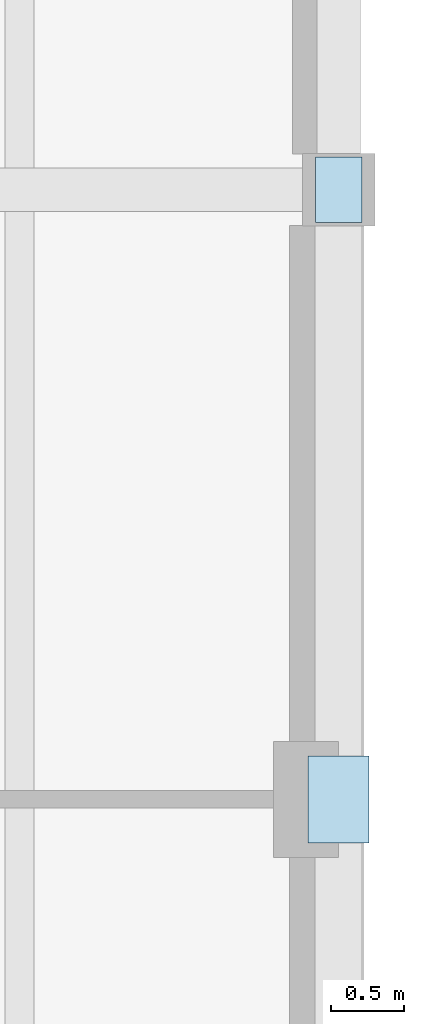
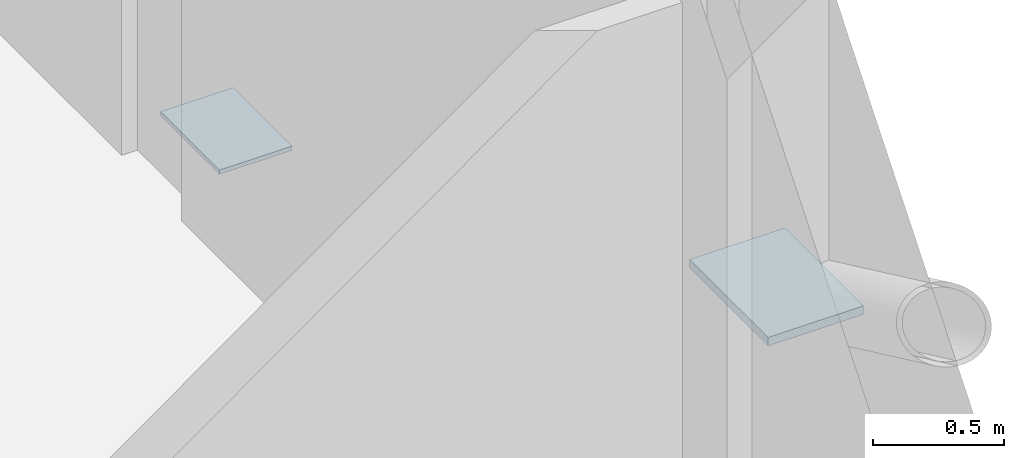
# One storey, part 44 of 76: 2 plates.
"""IFC4 building model written with IfcOpenShell, lengths in metres."""

from ifc_helpers import new_model, si_unit, direction, frame, origin, origin_2d, place, context, subcontext, project, spatial, rectangle, extrude, material, layer, layer_set, type_object, element, save


model = new_model("IFC4")

# Units and contexts
model_context = context("Model", 3, precision=1e-05, world=origin(), true_north=direction((0.0, 1.0)))
body_context = subcontext(model_context, "Body", "Model", "MODEL_VIEW")
ifc_project = project(units=[si_unit("LENGTHUNIT", "METRE"), si_unit("AREAUNIT", "SQUARE_METRE"), si_unit("VOLUMEUNIT", "CUBIC_METRE"), si_unit("PLANEANGLEUNIT", "RADIAN"), si_unit("MASSUNIT", "GRAM", prefix="KILO")], contexts=[model_context])

# Site, building, storey
site_placement = place(None, origin())
site = spatial("IfcSite", under=ifc_project, at=site_placement, CompositionType="ELEMENT")
building_placement = place(site_placement, origin())
building = spatial("IfcBuilding", under=site, at=building_placement, Name="Qaldarim Faculty of Natural and Applied Sciences", CompositionType="ELEMENT")
storey_placement = place(building_placement, frame((0.0, 0.0, 9.89990234375)))
storey = spatial("IfcBuildingStorey", under=building, at=storey_placement, Name="L02", CompositionType="ELEMENT", Elevation=9.89990234375)

# Plates
ifc_material = material(Name="Structural steel S355", Category="steel")
ifc_layer_1 = layer(ifc_material, 0.02001953125)
ifc_layer_set_1 = layer_set([ifc_layer_1], Name="Structural steel S355")
plate_type_1 = type_object("IfcPlateType", Name="GussetPlate-S355-450x320x20", PredefinedType="SHEET", material=ifc_layer_set_1)
plate_1_placement = place(storey_placement, frame((178.199951171875, 109.199951171875, 0.14013671875), z_axis=(0.0, 0.0, 1.0), x_axis=(0.0, 1.0, 0.0)))
element("IfcPlate", 1, at=plate_1_placement, inside=storey, type_object=plate_type_1, Name="Commons east diagrid L02 base gusset BR", PredefinedType="SHEET", context=body_context, shape_type="SweptSolid", body=[
    extrude(rectangle(XDim=0.449951171875, YDim=0.320068359375, at=origin_2d()), origin(), (0.0, 0.0, 1.0), 0.02001953125),
])
ifc_layer_2 = layer(ifc_material, 0.0400390625)
ifc_layer_set_2 = layer_set([ifc_layer_2], Name="Structural steel S355")
plate_type_2 = type_object("IfcPlateType", Name="NodePlate-S355-600x420x40", PredefinedType="SHEET", material=ifc_layer_set_2)
plate_2_placement = place(storey_placement, frame((178.199951171875, 105.0, 1.9501953125), z_axis=(0.0, 0.0, 1.0), x_axis=(0.0, 1.0, 0.0)))
element("IfcPlate", 2, at=plate_2_placement, inside=storey, type_object=plate_type_2, Name="Commons east diagrid L02 X-crossing gusset plate", PredefinedType="SHEET", context=body_context, shape_type="SweptSolid", body=[
    extrude(rectangle(XDim=0.60009765625, YDim=0.419921875, at=origin_2d()), origin(), (0.0, 0.0, 1.0), 0.0400390625),
])

save(model, "model.ifc")
